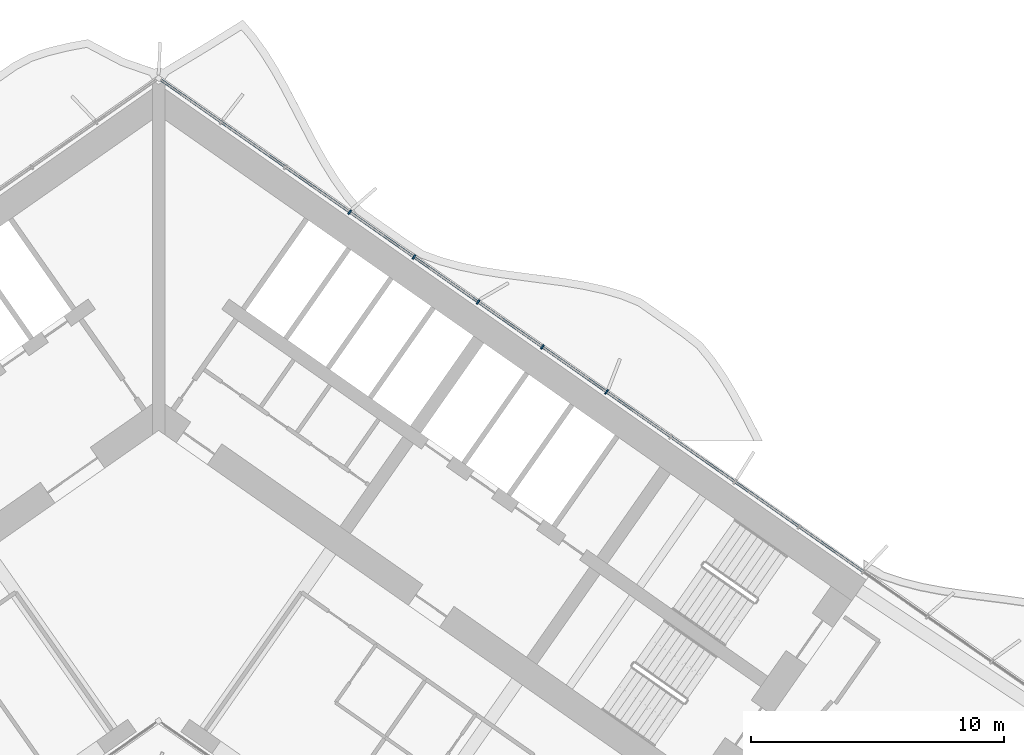
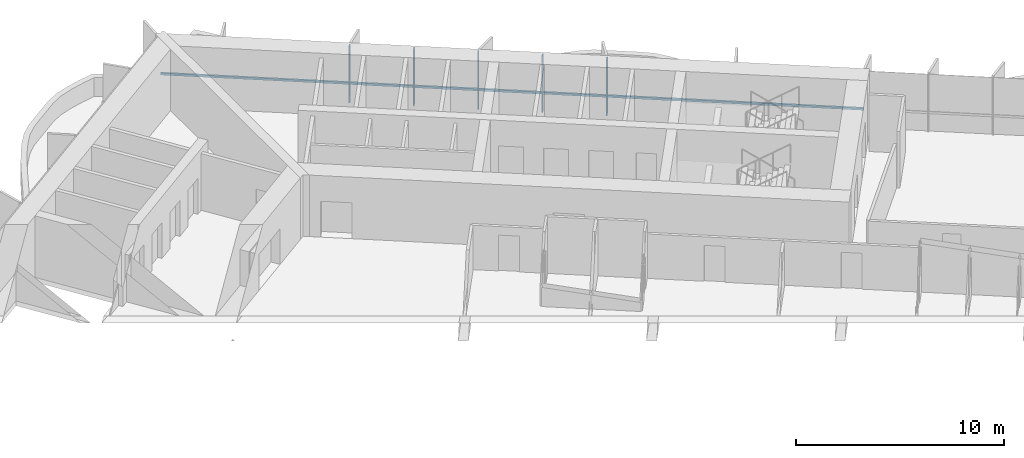
# One storey, part 8 of 22: 6 members, 1 element without a shape of its own.
"""IFC4 building model written with IfcOpenShell, lengths in metres."""

from ifc_helpers import new_model, si_unit, direction, frame, origin, origin_2d, place, context, subcontext, project, spatial, rectangle, extrude, material, material_profile, profile_set, type_object, element, aggregate, save


model = new_model("IFC4")

# Units and contexts
model_context = context("Model", 3, precision=1e-05, world=origin(), true_north=direction((0.0, 1.0)))
body_context = subcontext(model_context, "Body", "Model", "MODEL_VIEW")
ifc_project = project(units=[si_unit("LENGTHUNIT", "METRE"), si_unit("AREAUNIT", "SQUARE_METRE"), si_unit("VOLUMEUNIT", "CUBIC_METRE"), si_unit("PLANEANGLEUNIT", "RADIAN"), si_unit("MASSUNIT", "GRAM", prefix="KILO")], contexts=[model_context])

# Site, building, storey
site_placement = place(None, origin())
site = spatial("IfcSite", under=ifc_project, at=site_placement, CompositionType="ELEMENT")
building_placement = place(site_placement, origin())
building = spatial("IfcBuilding", under=site, at=building_placement, Name="Tel Ilan Convention Tower", CompositionType="ELEMENT")
storey_placement = place(building_placement, frame((0.0, 0.0, 122.89990234375)))
storey = spatial("IfcBuildingStorey", under=building, at=storey_placement, Name="L27", CompositionType="ELEMENT", Elevation=122.89990234375)

# Curtain wall, members
ifc_material_1 = material(Name="Aluminium, bronze anodised", Category="aluminium")
curtain_wall_type = type_object("IfcCurtainWallType", Name="CW2 STICK CURTAIN WALL, SPANDREL PANELS", PredefinedType="NOTDEFINED", material=ifc_material_1)
curtain_wall_placement = place(storey_placement, origin())
curtain_wall = element("IfcCurtainWall", 1, at=curtain_wall_placement, inside=storey, type_object=curtain_wall_type, Name="Curtain wall CW2-21.01", PredefinedType="NOTDEFINED")
ifc_material_2 = material(Name="Aluminium, bronze anodised", Category="aluminium")
ifc_material_profile_1 = material_profile(ifc_material_2, rectangle(XDim=0.06005859375, YDim=0.199951171875, at=origin_2d()), Name="CW MULLION 60x200")
ifc_profile_set_1 = profile_set([ifc_material_profile_1], Name="Aluminium, bronze anodised")
member_type_1 = type_object("IfcMemberType", Name="CW MULLION 60x200", PredefinedType="MULLION", material=ifc_profile_set_1)
member_1_placement = place(storey_placement, frame((17.701171875, 0.301513671875, 0.0), z_axis=(0.0, 0.0, 1.0), x_axis=(-0.819152044289, 0.573576436351, 0.0)))
member_1 = element("IfcMember", 2, at=member_1_placement, type_object=member_type_1, Name="Mullion", PredefinedType="MULLION", context=body_context, shape_type="SweptSolid", body=[
    extrude(rectangle(XDim=0.06005859375, YDim=0.199951171875, at=origin_2d()), origin(), (0.0, 0.0, 1.0), 3.320068359375),
])
member_2_placement = place(storey_placement, frame((15.1640625, 2.077880859375, 0.0), z_axis=(0.0, 0.0, 1.0), x_axis=(-0.819152044289, 0.573576436351, 0.0)))
member_2 = element("IfcMember", 3, at=member_2_placement, type_object=member_type_1, Name="Mullion", PredefinedType="MULLION", context=body_context, shape_type="SweptSolid", body=[
    extrude(rectangle(XDim=0.06005859375, YDim=0.199951171875, at=origin_2d()), origin(), (0.0, 0.0, 1.0), 3.320068359375),
])
member_3_placement = place(storey_placement, frame((12.627197265625, 3.854248046875, 0.0), z_axis=(0.0, 0.0, 1.0), x_axis=(-0.819152044289, 0.573576436351, 0.0)))
member_3 = element("IfcMember", 4, at=member_3_placement, type_object=member_type_1, Name="Mullion", PredefinedType="MULLION", context=body_context, shape_type="SweptSolid", body=[
    extrude(rectangle(XDim=0.06005859375, YDim=0.199951171875, at=origin_2d()), origin(), (0.0, 0.0, 1.0), 3.320068359375),
])
member_4_placement = place(storey_placement, frame((10.09033203125, 5.630615234375, 0.0), z_axis=(0.0, 0.0, 1.0), x_axis=(-0.819152044289, 0.573576436351, 0.0)))
member_4 = element("IfcMember", 5, at=member_4_placement, type_object=member_type_1, Name="Mullion", PredefinedType="MULLION", context=body_context, shape_type="SweptSolid", body=[
    extrude(rectangle(XDim=0.06005859375, YDim=0.199951171875, at=origin_2d()), origin(), (0.0, 0.0, 1.0), 3.320068359375),
])
member_5_placement = place(storey_placement, frame((7.553466796875, 7.406982421875, 0.0), z_axis=(0.0, 0.0, 1.0), x_axis=(-0.819152044289, 0.573576436351, 0.0)))
member_5 = element("IfcMember", 6, at=member_5_placement, type_object=member_type_1, Name="Mullion", PredefinedType="MULLION", context=body_context, shape_type="SweptSolid", body=[
    extrude(rectangle(XDim=0.06005859375, YDim=0.199951171875, at=origin_2d()), origin(), (0.0, 0.0, 1.0), 3.320068359375),
])
ifc_material_3 = material(Name="Aluminium, bronze anodised", Category="aluminium")
ifc_material_profile_2 = material_profile(ifc_material_3, rectangle(XDim=0.10009765625, YDim=0.1201171875, at=origin_2d()), Name="CW TRANSOM 100x120")
ifc_profile_set_2 = profile_set([ifc_material_profile_2], Name="Aluminium, bronze anodised")
member_type_2 = type_object("IfcMemberType", Name="CW TRANSOM 100x120", PredefinedType="USERDEFINED", material=ifc_profile_set_2)
member_6_placement = place(storey_placement, frame((27.82421875, -6.78662109375, 1.10009765625), z_axis=(-0.819151916241, 0.573576619222, 0.0), x_axis=(-0.573576619222, -0.819151916241, 0.0)))
member_6 = element("IfcMember", 7, at=member_6_placement, type_object=member_type_2, Name="Transom", ObjectType="TRANSOM", PredefinedType="USERDEFINED", context=body_context, shape_type="SweptSolid", body=[
    extrude(rectangle(XDim=0.10009765625, YDim=0.1201171875, at=origin_2d()), origin(), (0.0, 0.0, 1.0), 33.837158203125),
])
aggregate(curtain_wall, [member_1, member_2, member_3, member_4, member_5, member_6])

save(model, "model.ifc")
